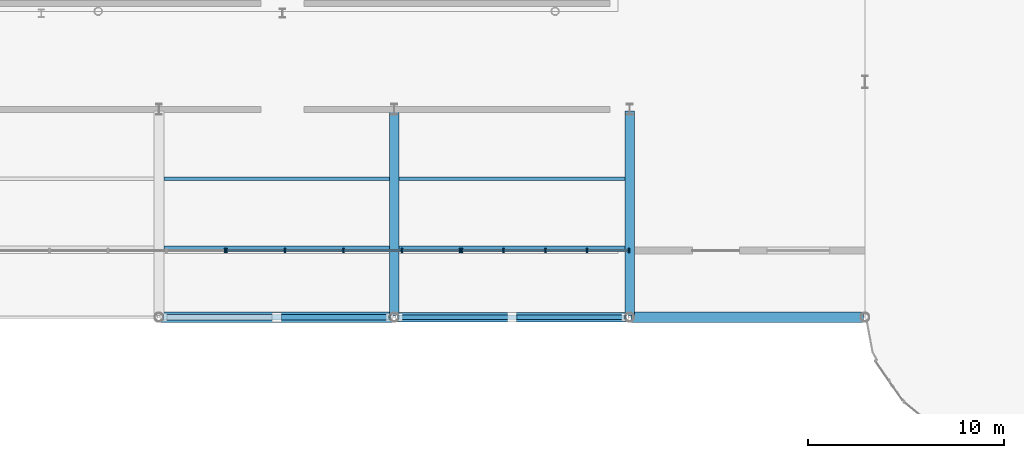
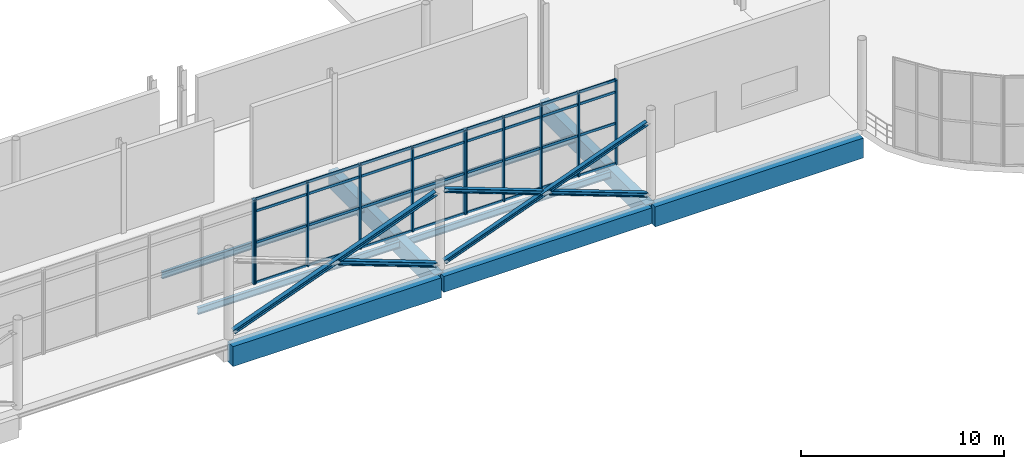
# One storey, part 20 of 85: 48 members, 9 beams, 3 elements without a shape of their own.
"""IFC4 building model written with IfcOpenShell, lengths in metres."""

from ifc_helpers import new_model, si_unit, direction, frame, origin, origin_2d, place, context, subcontext, project, spatial, rectangle, i_section, extrude, material, material_profile, profile_set, type_object, element, aggregate, save


model = new_model("IFC4")

# Units and contexts
model_context = context("Model", 3, precision=1e-05, world=origin(), true_north=direction((0.0, 1.0)))
body_context = subcontext(model_context, "Body", "Model", "MODEL_VIEW")
ifc_project = project(units=[si_unit("LENGTHUNIT", "METRE"), si_unit("AREAUNIT", "SQUARE_METRE"), si_unit("VOLUMEUNIT", "CUBIC_METRE"), si_unit("PLANEANGLEUNIT", "RADIAN"), si_unit("MASSUNIT", "GRAM", prefix="KILO"), si_unit("THERMODYNAMICTEMPERATUREUNIT", "KELVIN"), si_unit("POWERUNIT", "WATT")], contexts=[model_context])

# Site, building, storey
site_placement = place(None, origin())
site = spatial("IfcSite", under=ifc_project, at=site_placement, CompositionType="ELEMENT")
building_placement = place(site_placement, origin())
building = spatial("IfcBuilding", under=site, at=building_placement, Name="Solmara Park Aquatics Centre", CompositionType="ELEMENT")
storey_placement = place(building_placement, origin())
storey = spatial("IfcBuildingStorey", under=building, at=storey_placement, Name="L00", CompositionType="ELEMENT", Elevation=0.0)

# Curtain wall, member
ifc_material_1 = material(Name="Anodised Aluminium Curtain Wall Framing", Category="aluminium")
curtain_wall_type = type_object("IfcCurtainWallType", Name="ARC-CW-SYS01", PredefinedType="USERDEFINED", material=ifc_material_1)
curtain_wall_1_placement = place(storey_placement, origin())
curtain_wall_1 = element("IfcCurtainWall", 1, at=curtain_wall_1_placement, inside=storey, type_object=curtain_wall_type, Name="Curtain Wall CW-005", ObjectType="CURTAIN WALL", PredefinedType="USERDEFINED")
ifc_material_2 = material(Name="Anodised Aluminium Alloy 6063-T6", Category="aluminium")
ifc_material_profile_1 = material_profile(ifc_material_2, rectangle(XDim=0.074951171875, YDim=0.219970703125, at=origin_2d()), Name="ALU MULLION 75x220")
ifc_profile_set_1 = profile_set([ifc_material_profile_1], Name="Anodised Aluminium Alloy 6063-T6")
member_type_1 = type_object("IfcMemberType", Name="ARC-CWM-75x220", PredefinedType="MULLION", material=ifc_profile_set_1)
member_1_placement = place(storey_placement, frame((63.9599609375, 16.0, 0.0), z_axis=(0.0, 0.0, 1.0), x_axis=(1.0, 0.0, 0.0)))
member_1 = element("IfcMember", 2, at=member_1_placement, type_object=member_type_1, Name="CW-005 mullion 5", PredefinedType="MULLION", context=body_context, shape_type="SweptSolid", body=[
    extrude(rectangle(XDim=0.074951171875, YDim=0.219970703125, at=origin_2d()), origin(), (0.0, 0.0, 1.0), 5.080078125),
])
aggregate(curtain_wall_1, [member_1])

# Curtain wall, members
curtain_wall_2_placement = place(storey_placement, origin())
curtain_wall_2 = element("IfcCurtainWall", 3, at=curtain_wall_2_placement, inside=storey, type_object=curtain_wall_type, Name="Curtain Wall CW-007", ObjectType="CURTAIN WALL", PredefinedType="USERDEFINED")
member_2_placement = place(storey_placement, frame((64.0400390625, 16.0, 0.0), z_axis=(0.0, 0.0, 1.0), x_axis=(1.0, 0.0, 0.0)))
member_2 = element("IfcMember", 4, at=member_2_placement, type_object=member_type_1, Name="CW-007 mullion 1", PredefinedType="MULLION", context=body_context, shape_type="SweptSolid", body=[
    extrude(rectangle(XDim=0.074951171875, YDim=0.219970703125, at=origin_2d()), origin(), (0.0, 0.0, 1.0), 5.080078125),
])
member_3_placement = place(storey_placement, frame((67.02001953125, 16.0, 0.0), z_axis=(0.0, 0.0, 1.0), x_axis=(1.0, 0.0, 0.0)))
member_3 = element("IfcMember", 5, at=member_3_placement, type_object=member_type_1, Name="CW-007 mullion 2", PredefinedType="MULLION", context=body_context, shape_type="SweptSolid", body=[
    extrude(rectangle(XDim=0.074951171875, YDim=0.219970703125, at=origin_2d()), origin(), (0.0, 0.0, 1.0), 5.080078125),
])
member_4_placement = place(storey_placement, frame((70.0, 16.0, 0.0), z_axis=(0.0, 0.0, 1.0), x_axis=(1.0, 0.0, 0.0)))
member_4 = element("IfcMember", 6, at=member_4_placement, type_object=member_type_1, Name="CW-007 mullion 3", PredefinedType="MULLION", context=body_context, shape_type="SweptSolid", body=[
    extrude(rectangle(XDim=0.074951171875, YDim=0.219970703125, at=origin_2d()), origin(), (0.0, 0.0, 1.0), 5.080078125),
])
member_5_placement = place(storey_placement, frame((72.97998046875, 16.0, 0.0), z_axis=(0.0, 0.0, 1.0), x_axis=(1.0, 0.0, 0.0)))
member_5 = element("IfcMember", 7, at=member_5_placement, type_object=member_type_1, Name="CW-007 mullion 4", PredefinedType="MULLION", context=body_context, shape_type="SweptSolid", body=[
    extrude(rectangle(XDim=0.074951171875, YDim=0.219970703125, at=origin_2d()), origin(), (0.0, 0.0, 1.0), 5.080078125),
])
member_6_placement = place(storey_placement, frame((75.9599609375, 16.0, 0.0), z_axis=(0.0, 0.0, 1.0), x_axis=(1.0, 0.0, 0.0)))
member_6 = element("IfcMember", 8, at=member_6_placement, type_object=member_type_1, Name="CW-007 mullion 5", PredefinedType="MULLION", context=body_context, shape_type="SweptSolid", body=[
    extrude(rectangle(XDim=0.074951171875, YDim=0.219970703125, at=origin_2d()), origin(), (0.0, 0.0, 1.0), 5.080078125),
])

curtain_wall_3_placement = place(storey_placement, origin())
curtain_wall_3 = element("IfcCurtainWall", 9, at=curtain_wall_3_placement, inside=storey, type_object=curtain_wall_type, Name="Curtain Wall CW-009", ObjectType="CURTAIN WALL", PredefinedType="USERDEFINED")
member_7_placement = place(storey_placement, frame((76.0400390625, 16.0, 0.0), z_axis=(0.0, 0.0, 1.0), x_axis=(1.0, 0.0, 0.0)))
member_7 = element("IfcMember", 10, at=member_7_placement, type_object=member_type_1, Name="CW-009 mullion 1", PredefinedType="MULLION", context=body_context, shape_type="SweptSolid", body=[
    extrude(rectangle(XDim=0.074951171875, YDim=0.219970703125, at=origin_2d()), origin(), (0.0, 0.0, 1.0), 5.080078125),
])
member_8_placement = place(storey_placement, frame((78.169921875, 16.0, 0.0), z_axis=(0.0, 0.0, 1.0), x_axis=(1.0, 0.0, 0.0)))
member_8 = element("IfcMember", 11, at=member_8_placement, type_object=member_type_1, Name="CW-009 mullion 2", PredefinedType="MULLION", context=body_context, shape_type="SweptSolid", body=[
    extrude(rectangle(XDim=0.074951171875, YDim=0.219970703125, at=origin_2d()), origin(), (0.0, 0.0, 1.0), 5.080078125),
])
member_9_placement = place(storey_placement, frame((80.300048828125, 16.0, 0.0), z_axis=(0.0, 0.0, 1.0), x_axis=(1.0, 0.0, 0.0)))
member_9 = element("IfcMember", 12, at=member_9_placement, type_object=member_type_1, Name="CW-009 mullion 3", PredefinedType="MULLION", context=body_context, shape_type="SweptSolid", body=[
    extrude(rectangle(XDim=0.074951171875, YDim=0.219970703125, at=origin_2d()), origin(), (0.0, 0.0, 1.0), 5.080078125),
])
member_10_placement = place(storey_placement, frame((82.429931640625, 16.0, 0.0), z_axis=(0.0, 0.0, 1.0), x_axis=(1.0, 0.0, 0.0)))
member_10 = element("IfcMember", 13, at=member_10_placement, type_object=member_type_1, Name="CW-009 mullion 4", PredefinedType="MULLION", context=body_context, shape_type="SweptSolid", body=[
    extrude(rectangle(XDim=0.074951171875, YDim=0.219970703125, at=origin_2d()), origin(), (0.0, 0.0, 1.0), 5.080078125),
])
member_11_placement = place(storey_placement, frame((84.56005859375, 16.0, 0.0), z_axis=(0.0, 0.0, 1.0), x_axis=(1.0, 0.0, 0.0)))
member_11 = element("IfcMember", 14, at=member_11_placement, type_object=member_type_1, Name="CW-009 mullion 5", PredefinedType="MULLION", context=body_context, shape_type="SweptSolid", body=[
    extrude(rectangle(XDim=0.074951171875, YDim=0.219970703125, at=origin_2d()), origin(), (0.0, 0.0, 1.0), 5.080078125),
])

# Member
ifc_material_profile_2 = material_profile(ifc_material_2, rectangle(XDim=0.074951171875, YDim=0.14990234375, at=origin_2d()), Name="ALU TRANSOM 75x150")
ifc_profile_set_2 = profile_set([ifc_material_profile_2], Name="Anodised Aluminium Alloy 6063-T6")
member_type_2 = type_object("IfcMemberType", Name="ARC-CWT-75x150", PredefinedType="USERDEFINED", material=ifc_profile_set_2)
member_12_placement = place(storey_placement, frame((64.06005859375, 16.0, 0.0400390625), z_axis=(1.0, 0.0, 0.0), x_axis=(0.0, 1.0, 0.0)))
member_12 = element("IfcMember", 15, at=member_12_placement, type_object=member_type_2, Name="CW-007 transom 1", ObjectType="TRANSOM", PredefinedType="USERDEFINED", context=body_context, shape_type="SweptSolid", body=[
    extrude(rectangle(XDim=0.074951171875, YDim=0.14990234375, at=origin_2d()), origin(), (0.0, 0.0, 1.0), 2.89990234375),
])

member_13_placement = place(storey_placement, frame((64.06005859375, 16.0, 2.449951171875), z_axis=(1.0, 0.0, 0.0), x_axis=(0.0, 1.0, 0.0)))
member_13 = element("IfcMember", 16, at=member_13_placement, type_object=member_type_2, Name="CW-007 transom 2", ObjectType="TRANSOM", PredefinedType="USERDEFINED", context=body_context, shape_type="SweptSolid", body=[
    extrude(rectangle(XDim=0.074951171875, YDim=0.14990234375, at=origin_2d()), origin(), (0.0, 0.0, 1.0), 2.89990234375),
])

member_14_placement = place(storey_placement, frame((64.06005859375, 16.0, 4.330078125), z_axis=(1.0, 0.0, 0.0), x_axis=(0.0, 1.0, 0.0)))
member_14 = element("IfcMember", 17, at=member_14_placement, type_object=member_type_2, Name="CW-007 transom 3", ObjectType="TRANSOM", PredefinedType="USERDEFINED", context=body_context, shape_type="SweptSolid", body=[
    extrude(rectangle(XDim=0.074951171875, YDim=0.14990234375, at=origin_2d()), origin(), (0.0, 0.0, 1.0), 2.89990234375),
])

member_15_placement = place(storey_placement, frame((64.06005859375, 16.0, 5.0400390625), z_axis=(1.0, 0.0, 0.0), x_axis=(0.0, 1.0, 0.0)))
member_15 = element("IfcMember", 18, at=member_15_placement, type_object=member_type_2, Name="CW-007 transom 4", ObjectType="TRANSOM", PredefinedType="USERDEFINED", context=body_context, shape_type="SweptSolid", body=[
    extrude(rectangle(XDim=0.074951171875, YDim=0.14990234375, at=origin_2d()), origin(), (0.0, 0.0, 1.0), 2.89990234375),
])

member_16_placement = place(storey_placement, frame((67.0400390625, 16.0, 0.0400390625), z_axis=(1.0, 0.0, 0.0), x_axis=(0.0, 1.0, 0.0)))
member_16 = element("IfcMember", 19, at=member_16_placement, type_object=member_type_2, Name="CW-007 transom 5", ObjectType="TRANSOM", PredefinedType="USERDEFINED", context=body_context, shape_type="SweptSolid", body=[
    extrude(rectangle(XDim=0.074951171875, YDim=0.14990234375, at=origin_2d()), origin(), (0.0, 0.0, 1.0), 2.89990234375),
])

member_17_placement = place(storey_placement, frame((67.0400390625, 16.0, 2.449951171875), z_axis=(1.0, 0.0, 0.0), x_axis=(0.0, 1.0, 0.0)))
member_17 = element("IfcMember", 20, at=member_17_placement, type_object=member_type_2, Name="CW-007 transom 6", ObjectType="TRANSOM", PredefinedType="USERDEFINED", context=body_context, shape_type="SweptSolid", body=[
    extrude(rectangle(XDim=0.074951171875, YDim=0.14990234375, at=origin_2d()), origin(), (0.0, 0.0, 1.0), 2.89990234375),
])

member_18_placement = place(storey_placement, frame((67.0400390625, 16.0, 4.330078125), z_axis=(1.0, 0.0, 0.0), x_axis=(0.0, 1.0, 0.0)))
member_18 = element("IfcMember", 21, at=member_18_placement, type_object=member_type_2, Name="CW-007 transom 7", ObjectType="TRANSOM", PredefinedType="USERDEFINED", context=body_context, shape_type="SweptSolid", body=[
    extrude(rectangle(XDim=0.074951171875, YDim=0.14990234375, at=origin_2d()), origin(), (0.0, 0.0, 1.0), 2.89990234375),
])

member_19_placement = place(storey_placement, frame((67.0400390625, 16.0, 5.0400390625), z_axis=(1.0, 0.0, 0.0), x_axis=(0.0, 1.0, 0.0)))
member_19 = element("IfcMember", 22, at=member_19_placement, type_object=member_type_2, Name="CW-007 transom 8", ObjectType="TRANSOM", PredefinedType="USERDEFINED", context=body_context, shape_type="SweptSolid", body=[
    extrude(rectangle(XDim=0.074951171875, YDim=0.14990234375, at=origin_2d()), origin(), (0.0, 0.0, 1.0), 2.89990234375),
])

member_20_placement = place(storey_placement, frame((70.02001953125, 16.0, 0.0400390625), z_axis=(1.0, 0.0, 0.0), x_axis=(0.0, 1.0, 0.0)))
member_20 = element("IfcMember", 23, at=member_20_placement, type_object=member_type_2, Name="CW-007 transom 9", ObjectType="TRANSOM", PredefinedType="USERDEFINED", context=body_context, shape_type="SweptSolid", body=[
    extrude(rectangle(XDim=0.074951171875, YDim=0.14990234375, at=origin_2d()), origin(), (0.0, 0.0, 1.0), 2.89990234375),
])

member_21_placement = place(storey_placement, frame((70.02001953125, 16.0, 2.449951171875), z_axis=(1.0, 0.0, 0.0), x_axis=(0.0, 1.0, 0.0)))
member_21 = element("IfcMember", 24, at=member_21_placement, type_object=member_type_2, Name="CW-007 transom 10", ObjectType="TRANSOM", PredefinedType="USERDEFINED", context=body_context, shape_type="SweptSolid", body=[
    extrude(rectangle(XDim=0.074951171875, YDim=0.14990234375, at=origin_2d()), origin(), (0.0, 0.0, 1.0), 2.89990234375),
])

member_22_placement = place(storey_placement, frame((70.02001953125, 16.0, 4.330078125), z_axis=(1.0, 0.0, 0.0), x_axis=(0.0, 1.0, 0.0)))
member_22 = element("IfcMember", 25, at=member_22_placement, type_object=member_type_2, Name="CW-007 transom 11", ObjectType="TRANSOM", PredefinedType="USERDEFINED", context=body_context, shape_type="SweptSolid", body=[
    extrude(rectangle(XDim=0.074951171875, YDim=0.14990234375, at=origin_2d()), origin(), (0.0, 0.0, 1.0), 2.89990234375),
])

member_23_placement = place(storey_placement, frame((70.02001953125, 16.0, 5.0400390625), z_axis=(1.0, 0.0, 0.0), x_axis=(0.0, 1.0, 0.0)))
member_23 = element("IfcMember", 26, at=member_23_placement, type_object=member_type_2, Name="CW-007 transom 12", ObjectType="TRANSOM", PredefinedType="USERDEFINED", context=body_context, shape_type="SweptSolid", body=[
    extrude(rectangle(XDim=0.074951171875, YDim=0.14990234375, at=origin_2d()), origin(), (0.0, 0.0, 1.0), 2.89990234375),
])

member_24_placement = place(storey_placement, frame((73.0, 16.0, 0.0400390625), z_axis=(1.0, 0.0, 0.0), x_axis=(0.0, 1.0, 0.0)))
member_24 = element("IfcMember", 27, at=member_24_placement, type_object=member_type_2, Name="CW-007 transom 13", ObjectType="TRANSOM", PredefinedType="USERDEFINED", context=body_context, shape_type="SweptSolid", body=[
    extrude(rectangle(XDim=0.074951171875, YDim=0.14990234375, at=origin_2d()), origin(), (0.0, 0.0, 1.0), 2.89990234375),
])

member_25_placement = place(storey_placement, frame((73.0, 16.0, 2.449951171875), z_axis=(1.0, 0.0, 0.0), x_axis=(0.0, 1.0, 0.0)))
member_25 = element("IfcMember", 28, at=member_25_placement, type_object=member_type_2, Name="CW-007 transom 14", ObjectType="TRANSOM", PredefinedType="USERDEFINED", context=body_context, shape_type="SweptSolid", body=[
    extrude(rectangle(XDim=0.074951171875, YDim=0.14990234375, at=origin_2d()), origin(), (0.0, 0.0, 1.0), 2.89990234375),
])

member_26_placement = place(storey_placement, frame((73.0, 16.0, 4.330078125), z_axis=(1.0, 0.0, 0.0), x_axis=(0.0, 1.0, 0.0)))
member_26 = element("IfcMember", 29, at=member_26_placement, type_object=member_type_2, Name="CW-007 transom 15", ObjectType="TRANSOM", PredefinedType="USERDEFINED", context=body_context, shape_type="SweptSolid", body=[
    extrude(rectangle(XDim=0.074951171875, YDim=0.14990234375, at=origin_2d()), origin(), (0.0, 0.0, 1.0), 2.89990234375),
])

member_27_placement = place(storey_placement, frame((73.0, 16.0, 5.0400390625), z_axis=(1.0, 0.0, 0.0), x_axis=(0.0, 1.0, 0.0)))
member_27 = element("IfcMember", 30, at=member_27_placement, type_object=member_type_2, Name="CW-007 transom 16", ObjectType="TRANSOM", PredefinedType="USERDEFINED", context=body_context, shape_type="SweptSolid", body=[
    extrude(rectangle(XDim=0.074951171875, YDim=0.14990234375, at=origin_2d()), origin(), (0.0, 0.0, 1.0), 2.89990234375),
])

aggregate(curtain_wall_2, [member_2, member_3, member_4, member_5, member_6, member_12, member_13, member_14, member_15, member_16, member_17, member_18, member_19, member_20, member_21, member_22, member_23, member_24, member_25, member_26, member_27])

member_28_placement = place(storey_placement, frame((76.06005859375, 16.0, 0.0400390625), z_axis=(1.0, 0.0, 0.0), x_axis=(0.0, 1.0, 0.0)))
member_28 = element("IfcMember", 31, at=member_28_placement, type_object=member_type_2, Name="CW-009 transom 1", ObjectType="TRANSOM", PredefinedType="USERDEFINED", context=body_context, shape_type="SweptSolid", body=[
    extrude(rectangle(XDim=0.074951171875, YDim=0.14990234375, at=origin_2d()), origin(), (0.0, 0.0, 1.0), 2.050048828125),
])

member_29_placement = place(storey_placement, frame((76.06005859375, 16.0, 2.449951171875), z_axis=(1.0, 0.0, 0.0), x_axis=(0.0, 1.0, 0.0)))
member_29 = element("IfcMember", 32, at=member_29_placement, type_object=member_type_2, Name="CW-009 transom 2", ObjectType="TRANSOM", PredefinedType="USERDEFINED", context=body_context, shape_type="SweptSolid", body=[
    extrude(rectangle(XDim=0.074951171875, YDim=0.14990234375, at=origin_2d()), origin(), (0.0, 0.0, 1.0), 2.050048828125),
])

member_30_placement = place(storey_placement, frame((76.06005859375, 16.0, 4.330078125), z_axis=(1.0, 0.0, 0.0), x_axis=(0.0, 1.0, 0.0)))
member_30 = element("IfcMember", 33, at=member_30_placement, type_object=member_type_2, Name="CW-009 transom 3", ObjectType="TRANSOM", PredefinedType="USERDEFINED", context=body_context, shape_type="SweptSolid", body=[
    extrude(rectangle(XDim=0.074951171875, YDim=0.14990234375, at=origin_2d()), origin(), (0.0, 0.0, 1.0), 2.050048828125),
])

member_31_placement = place(storey_placement, frame((76.06005859375, 16.0, 5.0400390625), z_axis=(1.0, 0.0, 0.0), x_axis=(0.0, 1.0, 0.0)))
member_31 = element("IfcMember", 34, at=member_31_placement, type_object=member_type_2, Name="CW-009 transom 4", ObjectType="TRANSOM", PredefinedType="USERDEFINED", context=body_context, shape_type="SweptSolid", body=[
    extrude(rectangle(XDim=0.074951171875, YDim=0.14990234375, at=origin_2d()), origin(), (0.0, 0.0, 1.0), 2.050048828125),
])

member_32_placement = place(storey_placement, frame((78.18994140625, 16.0, 0.0400390625), z_axis=(1.0, 0.0, 0.0), x_axis=(0.0, 1.0, 0.0)))
member_32 = element("IfcMember", 35, at=member_32_placement, type_object=member_type_2, Name="CW-009 transom 5", ObjectType="TRANSOM", PredefinedType="USERDEFINED", context=body_context, shape_type="SweptSolid", body=[
    extrude(rectangle(XDim=0.074951171875, YDim=0.14990234375, at=origin_2d()), origin(), (0.0, 0.0, 1.0), 2.050048828125),
])

member_33_placement = place(storey_placement, frame((78.18994140625, 16.0, 2.449951171875), z_axis=(1.0, 0.0, 0.0), x_axis=(0.0, 1.0, 0.0)))
member_33 = element("IfcMember", 36, at=member_33_placement, type_object=member_type_2, Name="CW-009 transom 6", ObjectType="TRANSOM", PredefinedType="USERDEFINED", context=body_context, shape_type="SweptSolid", body=[
    extrude(rectangle(XDim=0.074951171875, YDim=0.14990234375, at=origin_2d()), origin(), (0.0, 0.0, 1.0), 2.050048828125),
])

member_34_placement = place(storey_placement, frame((78.18994140625, 16.0, 4.330078125), z_axis=(1.0, 0.0, 0.0), x_axis=(0.0, 1.0, 0.0)))
member_34 = element("IfcMember", 37, at=member_34_placement, type_object=member_type_2, Name="CW-009 transom 7", ObjectType="TRANSOM", PredefinedType="USERDEFINED", context=body_context, shape_type="SweptSolid", body=[
    extrude(rectangle(XDim=0.074951171875, YDim=0.14990234375, at=origin_2d()), origin(), (0.0, 0.0, 1.0), 2.050048828125),
])

member_35_placement = place(storey_placement, frame((78.18994140625, 16.0, 5.0400390625), z_axis=(1.0, 0.0, 0.0), x_axis=(0.0, 1.0, 0.0)))
member_35 = element("IfcMember", 38, at=member_35_placement, type_object=member_type_2, Name="CW-009 transom 8", ObjectType="TRANSOM", PredefinedType="USERDEFINED", context=body_context, shape_type="SweptSolid", body=[
    extrude(rectangle(XDim=0.074951171875, YDim=0.14990234375, at=origin_2d()), origin(), (0.0, 0.0, 1.0), 2.050048828125),
])

member_36_placement = place(storey_placement, frame((80.320068359375, 16.0, 0.0400390625), z_axis=(1.0, 0.0, 0.0), x_axis=(0.0, 1.0, 0.0)))
member_36 = element("IfcMember", 39, at=member_36_placement, type_object=member_type_2, Name="CW-009 transom 9", ObjectType="TRANSOM", PredefinedType="USERDEFINED", context=body_context, shape_type="SweptSolid", body=[
    extrude(rectangle(XDim=0.074951171875, YDim=0.14990234375, at=origin_2d()), origin(), (0.0, 0.0, 1.0), 2.050048828125),
])

member_37_placement = place(storey_placement, frame((80.320068359375, 16.0, 2.449951171875), z_axis=(1.0, 0.0, 0.0), x_axis=(0.0, 1.0, 0.0)))
member_37 = element("IfcMember", 40, at=member_37_placement, type_object=member_type_2, Name="CW-009 transom 10", ObjectType="TRANSOM", PredefinedType="USERDEFINED", context=body_context, shape_type="SweptSolid", body=[
    extrude(rectangle(XDim=0.074951171875, YDim=0.14990234375, at=origin_2d()), origin(), (0.0, 0.0, 1.0), 2.050048828125),
])

member_38_placement = place(storey_placement, frame((80.320068359375, 16.0, 4.330078125), z_axis=(1.0, 0.0, 0.0), x_axis=(0.0, 1.0, 0.0)))
member_38 = element("IfcMember", 41, at=member_38_placement, type_object=member_type_2, Name="CW-009 transom 11", ObjectType="TRANSOM", PredefinedType="USERDEFINED", context=body_context, shape_type="SweptSolid", body=[
    extrude(rectangle(XDim=0.074951171875, YDim=0.14990234375, at=origin_2d()), origin(), (0.0, 0.0, 1.0), 2.050048828125),
])

member_39_placement = place(storey_placement, frame((80.320068359375, 16.0, 5.0400390625), z_axis=(1.0, 0.0, 0.0), x_axis=(0.0, 1.0, 0.0)))
member_39 = element("IfcMember", 42, at=member_39_placement, type_object=member_type_2, Name="CW-009 transom 12", ObjectType="TRANSOM", PredefinedType="USERDEFINED", context=body_context, shape_type="SweptSolid", body=[
    extrude(rectangle(XDim=0.074951171875, YDim=0.14990234375, at=origin_2d()), origin(), (0.0, 0.0, 1.0), 2.050048828125),
])

member_40_placement = place(storey_placement, frame((82.449951171875, 16.0, 0.0400390625), z_axis=(1.0, 0.0, 0.0), x_axis=(0.0, 1.0, 0.0)))
member_40 = element("IfcMember", 43, at=member_40_placement, type_object=member_type_2, Name="CW-009 transom 13", ObjectType="TRANSOM", PredefinedType="USERDEFINED", context=body_context, shape_type="SweptSolid", body=[
    extrude(rectangle(XDim=0.074951171875, YDim=0.14990234375, at=origin_2d()), origin(), (0.0, 0.0, 1.0), 2.050048828125),
])

member_41_placement = place(storey_placement, frame((82.449951171875, 16.0, 2.449951171875), z_axis=(1.0, 0.0, 0.0), x_axis=(0.0, 1.0, 0.0)))
member_41 = element("IfcMember", 44, at=member_41_placement, type_object=member_type_2, Name="CW-009 transom 14", ObjectType="TRANSOM", PredefinedType="USERDEFINED", context=body_context, shape_type="SweptSolid", body=[
    extrude(rectangle(XDim=0.074951171875, YDim=0.14990234375, at=origin_2d()), origin(), (0.0, 0.0, 1.0), 2.050048828125),
])

member_42_placement = place(storey_placement, frame((82.449951171875, 16.0, 4.330078125), z_axis=(1.0, 0.0, 0.0), x_axis=(0.0, 1.0, 0.0)))
member_42 = element("IfcMember", 45, at=member_42_placement, type_object=member_type_2, Name="CW-009 transom 15", ObjectType="TRANSOM", PredefinedType="USERDEFINED", context=body_context, shape_type="SweptSolid", body=[
    extrude(rectangle(XDim=0.074951171875, YDim=0.14990234375, at=origin_2d()), origin(), (0.0, 0.0, 1.0), 2.050048828125),
])

member_43_placement = place(storey_placement, frame((82.449951171875, 16.0, 5.0400390625), z_axis=(1.0, 0.0, 0.0), x_axis=(0.0, 1.0, 0.0)))
member_43 = element("IfcMember", 46, at=member_43_placement, type_object=member_type_2, Name="CW-009 transom 16", ObjectType="TRANSOM", PredefinedType="USERDEFINED", context=body_context, shape_type="SweptSolid", body=[
    extrude(rectangle(XDim=0.074951171875, YDim=0.14990234375, at=origin_2d()), origin(), (0.0, 0.0, 1.0), 2.050048828125),
])

aggregate(curtain_wall_3, [member_7, member_8, member_9, member_10, member_11, member_28, member_29, member_30, member_31, member_32, member_33, member_34, member_35, member_36, member_37, member_38, member_39, member_40, member_41, member_42, member_43])

# Beams
ifc_material_3 = material(Name="Concrete C40/50", Category="concrete")
ifc_material_profile_3 = material_profile(ifc_material_3, rectangle(XDim=0.5, YDim=1.050048828125, at=origin_2d()), Name="RC 500x1050")
ifc_profile_set_3 = profile_set([ifc_material_profile_3], Name="Concrete C40/50")
beam_type_1 = type_object("IfcBeamType", Name="STR-BM-RC500x1050", PredefinedType="BEAM", material=ifc_profile_set_3)
for number, where, z_axis, x_axis, name in (
    (47, (72.60009765625, 12.679931640625, -0.945068359375), (0.0, 1.0, 0.0), (-1.0, 0.0, 0.0), "Girder BM-L00-0027"),
    (48, (84.60009765625, 12.679931640625, -0.945068359375), (0.0, 1.0, 0.0), (-1.0, 0.0, 0.0), "Girder BM-L00-0029"),
):
    element("IfcBeam", number, at=place(storey_placement, frame(where, z_axis=z_axis, x_axis=x_axis)), inside=storey, type_object=beam_type_1, Name=name, PredefinedType="BEAM", context=body_context, shape_type="SweptSolid", body=[
        extrude(rectangle(XDim=0.5, YDim=1.050048828125, at=origin_2d()), origin(), (0.0, 0.0, 1.0), 10.440185546875),
    ])
ifc_material_profile_4 = material_profile(ifc_material_3, rectangle(XDim=0.5, YDim=0.949951171875, at=origin_2d()), Name="RC 500x950")
ifc_profile_set_4 = profile_set([ifc_material_profile_4], Name="Concrete C40/50")
beam_type_2 = type_object("IfcBeamType", Name="STR-BM-RC500x950", PredefinedType="BEAM", material=ifc_profile_set_4)
beam_placement = place(storey_placement, frame((72.679931640625, 12.60009765625, -0.89501953125), z_axis=(1.0, 0.0, 0.0), x_axis=(0.0, 1.0, 0.0)))
element("IfcBeam", 49, at=beam_placement, inside=storey, type_object=beam_type_2, Name="Girder BM-L00-0006", PredefinedType="BEAM", context=body_context, shape_type="SweptSolid", body=[
    extrude(rectangle(XDim=0.5, YDim=0.949951171875, at=origin_2d()), origin(), (0.0, 0.0, 1.0), 11.840087890625),
])
ifc_material_profile_5 = material_profile(ifc_material_3, rectangle(XDim=0.550048828125, YDim=1.199951171875, at=origin_2d()), Name="RC 550x1200")
ifc_profile_set_5 = profile_set([ifc_material_profile_5], Name="Concrete C40/50")
beam_type_3 = type_object("IfcBeamType", Name="STR-BM-RC550x1200", PredefinedType="BEAM", material=ifc_profile_set_5)
for number, where, z_axis, x_axis, name in (
    (50, (60.679931640625, 12.60009765625, -1.02001953125), (1.0, 0.0, 0.0), (0.0, 1.0, 0.0), "Girder BM-L00-0005"),
    (51, (84.679931640625, 12.60009765625, -1.02001953125), (1.0, 0.0, 0.0), (0.0, 1.0, 0.0), "Girder BM-L00-0007"),
):
    element("IfcBeam", number, at=place(storey_placement, frame(where, z_axis=z_axis, x_axis=x_axis)), inside=storey, type_object=beam_type_3, Name=name, PredefinedType="BEAM", context=body_context, shape_type="SweptSolid", body=[
        extrude(rectangle(XDim=0.550048828125, YDim=1.199951171875, at=origin_2d()), origin(), (0.0, 0.0, 1.0), 11.840087890625),
    ])

# Members
ifc_material_4 = material(Name="Structural Steel S355", Category="steel")
ifc_material_profile_6 = material_profile(ifc_material_4, i_section(OverallWidth=0.239990234375, OverallDepth=0.239990234375, WebThickness=0.010009765625, FlangeThickness=0.01708984375, FilletRadius=0.02099609375, at=origin_2d()), Name="HEB 240")
ifc_profile_set_6 = profile_set([ifc_material_profile_6], Name="Structural Steel S355")
member_type_3 = type_object("IfcMemberType", Name="STR-BRC-HEB240", PredefinedType="BRACE", material=ifc_profile_set_6)
member_44_placement = place(storey_placement, frame((72.840087890625, 12.60009765625, 0.300048828125), z_axis=(0.93686172408, 0.0, 0.34970002853), x_axis=(0.0, 1.0, 0.0)))
element("IfcMember", 52, at=member_44_placement, inside=storey, type_object=member_type_3, Name="Continuous X-Brace Diagonal BRC-19", PredefinedType="BRACE", context=body_context, shape_type="SweptSolid", body=[
    extrude(i_section(OverallWidth=0.239990234375, OverallDepth=0.239990234375, WebThickness=0.010009765625, FlangeThickness=0.01708984375, FilletRadius=0.02099609375, at=origin_2d()), origin(), (0.0, 0.0, 1.0), 12.29638671875),
])
member_45_placement = place(storey_placement, frame((84.360107421875, 12.60009765625, 0.300048828125), z_axis=(-0.936867960556, 0.0, 0.349683320281), x_axis=(0.0, -1.0, 0.0)))
element("IfcMember", 53, at=member_45_placement, inside=storey, type_object=member_type_3, Name="Split X-Brace Lower Segment BRC-20", PredefinedType="BRACE", context=body_context, shape_type="SweptSolid", body=[
    extrude(i_section(OverallWidth=0.239990234375, OverallDepth=0.239990234375, WebThickness=0.010009765625, FlangeThickness=0.01708984375, FilletRadius=0.02099609375, at=origin_2d()), origin(), (0.0, 0.0, 1.0), 5.92822265625),
])
member_46_placement = place(storey_placement, frame((78.393798828125, 12.60009765625, 2.52685546875), z_axis=(-0.936849431239, 0.0, 0.349732959824), x_axis=(0.0, -1.0, 0.0)))
element("IfcMember", 54, at=member_46_placement, inside=storey, type_object=member_type_3, Name="Split X-Brace Upper Segment BRC-21", PredefinedType="BRACE", context=body_context, shape_type="SweptSolid", body=[
    extrude(i_section(OverallWidth=0.239990234375, OverallDepth=0.239990234375, WebThickness=0.010009765625, FlangeThickness=0.01708984375, FilletRadius=0.02099609375, at=origin_2d()), origin(), (0.0, 0.0, 1.0), 5.927978515625),
])
ifc_material_profile_7 = material_profile(ifc_material_4, i_section(OverallWidth=0.260009765625, OverallDepth=0.260009765625, WebThickness=0.010009765625, FlangeThickness=0.017578125, FilletRadius=0.02392578125, at=origin_2d()), Name="HEB 260")
ifc_profile_set_7 = profile_set([ifc_material_profile_7], Name="Structural Steel S355")
member_type_4 = type_object("IfcMemberType", Name="STR-BRC-HEB260", PredefinedType="BRACE", material=ifc_profile_set_7)
member_47_placement = place(storey_placement, frame((60.840087890625, 12.60009765625, 0.300048828125), z_axis=(0.93686172408, 0.0, 0.34970002853), x_axis=(0.0, 1.0, 0.0)))
element("IfcMember", 55, at=member_47_placement, inside=storey, type_object=member_type_4, Name="Continuous X-Brace Diagonal BRC-16", PredefinedType="BRACE", context=body_context, shape_type="SweptSolid", body=[
    extrude(i_section(OverallWidth=0.260009765625, OverallDepth=0.260009765625, WebThickness=0.010009765625, FlangeThickness=0.017578125, FilletRadius=0.02392578125, at=origin_2d()), origin(), (0.0, 0.0, 1.0), 12.29638671875),
])
member_48_placement = place(storey_placement, frame((72.360107421875, 12.60009765625, 0.300048828125), z_axis=(-0.936867960556, 0.0, 0.349683320281), x_axis=(0.0, -1.0, 0.0)))
element("IfcMember", 56, at=member_48_placement, inside=storey, type_object=member_type_4, Name="Split X-Brace Lower Segment BRC-17", PredefinedType="BRACE", context=body_context, shape_type="SweptSolid", body=[
    extrude(i_section(OverallWidth=0.260009765625, OverallDepth=0.260009765625, WebThickness=0.010009765625, FlangeThickness=0.017578125, FilletRadius=0.02392578125, at=origin_2d()), origin(), (0.0, 0.0, 1.0), 5.92822265625),
])

# Beams
ifc_material_profile_8 = material_profile(ifc_material_4, i_section(OverallWidth=0.179931640625, OverallDepth=0.39990234375, WebThickness=0.008544921875, FlangeThickness=0.013427734375, FilletRadius=0.02099609375, at=origin_2d()), Name="IPE 400")
ifc_profile_set_8 = profile_set([ifc_material_profile_8], Name="Structural Steel S355")
beam_type_4 = type_object("IfcBeamType", Name="STR-JST-IPE400", PredefinedType="JOIST", material=ifc_profile_set_8)
for number, where, z_axis, x_axis, name in (
    (57, (60.85009765625, 16.13330078125, -0.6201171875), (1.0, 0.0, 0.0), (0.0, 1.0, 0.0), "Floor Joist JST-L00-0011"),
    (58, (60.85009765625, 19.666748046875, -0.6201171875), (1.0, 0.0, 0.0), (0.0, 1.0, 0.0), "Floor Joist JST-L00-0012"),
    (59, (72.85009765625, 16.13330078125, -0.6201171875), (1.0, 0.0, 0.0), (0.0, 1.0, 0.0), "Floor Joist JST-L00-0015"),
    (60, (72.85009765625, 19.666748046875, -0.6201171875), (1.0, 0.0, 0.0), (0.0, 1.0, 0.0), "Floor Joist JST-L00-0016"),
):
    element("IfcBeam", number, at=place(storey_placement, frame(where, z_axis=z_axis, x_axis=x_axis)), inside=storey, type_object=beam_type_4, Name=name, PredefinedType="JOIST", context=body_context, shape_type="SweptSolid", body=[
        extrude(i_section(OverallWidth=0.179931640625, OverallDepth=0.39990234375, WebThickness=0.008544921875, FlangeThickness=0.013427734375, FilletRadius=0.02099609375, at=origin_2d()), origin(), (0.0, 0.0, 1.0), 11.5),
    ])

save(model, "model.ifc")
